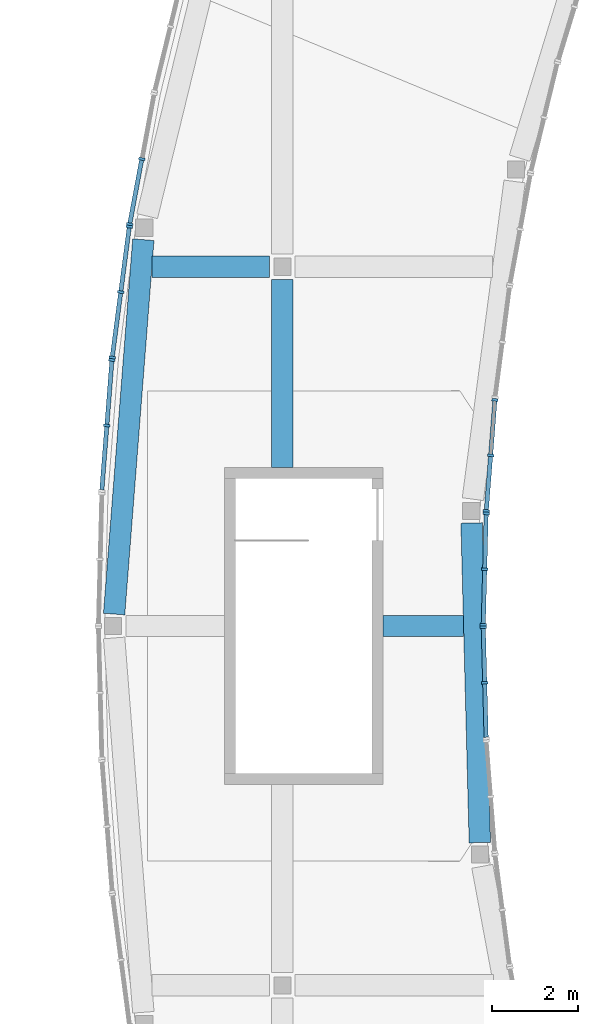
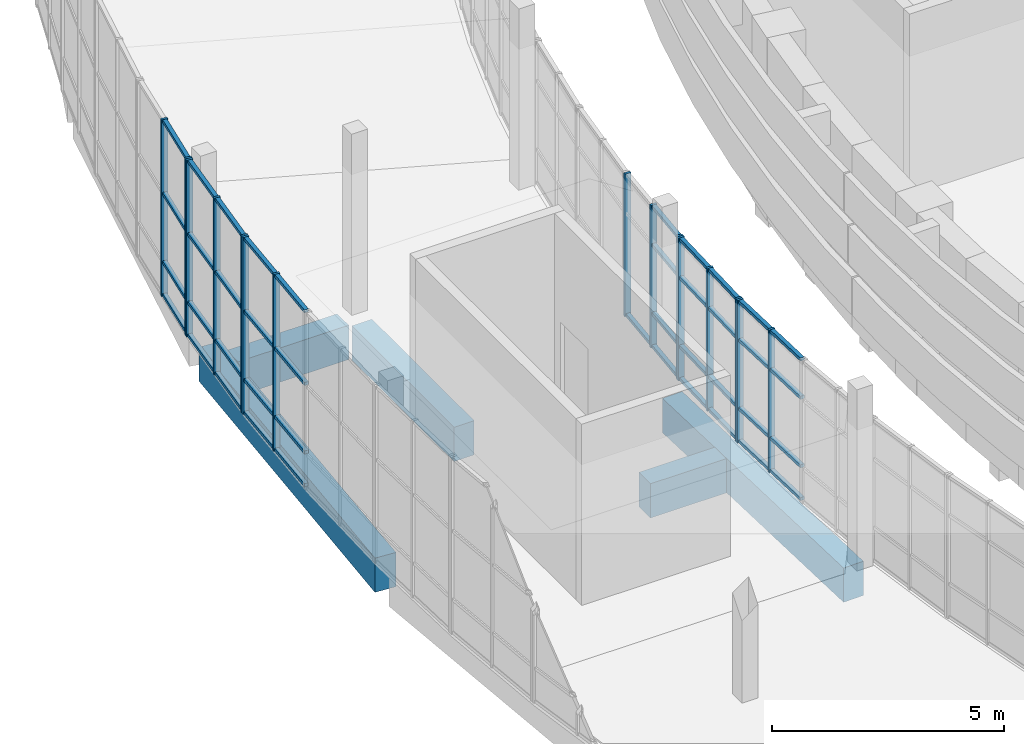
# One storey, part 13 of 103: 56 members, 5 beams, 6 elements without a shape of their own.
"""IFC4 building model written with IfcOpenShell, lengths in metres."""

from ifc_helpers import new_model, si_unit, direction, frame, origin, origin_2d, place, context, subcontext, project, spatial, rectangle, extrude, material, layer, layer_set, material_profile, profile_set, type_object, element, aggregate, save


model = new_model("IFC4")

# Units and contexts
model_context = context("Model", 3, precision=1e-05, world=origin(), true_north=direction((0.0, 1.0)))
body_context = subcontext(model_context, "Body", "Model", "MODEL_VIEW")
ifc_project = project(units=[si_unit("LENGTHUNIT", "METRE"), si_unit("AREAUNIT", "SQUARE_METRE"), si_unit("VOLUMEUNIT", "CUBIC_METRE"), si_unit("PLANEANGLEUNIT", "RADIAN"), si_unit("MASSUNIT", "GRAM", prefix="KILO")], contexts=[model_context])

# Site, building, storey
site_placement = place(None, origin())
site = spatial("IfcSite", under=ifc_project, at=site_placement, CompositionType="ELEMENT")
building_placement = place(site_placement, origin())
building = spatial("IfcBuilding", under=site, at=building_placement, Name="Larchfold Concert Hall", CompositionType="ELEMENT")
storey_placement = place(building_placement, frame((0.0, 0.0, 9.60009765625)))
storey = spatial("IfcBuildingStorey", under=building, at=storey_placement, Name="L02", CompositionType="ELEMENT", Elevation=9.60009765625)

# Curtain wall, members
ifc_material_1 = material(Name="Anodised graphite aluminium curtain wall", Category="aluminium")
ifc_layer = layer(ifc_material_1, 0.14990234375)
ifc_layer_set = layer_set([ifc_layer], Name="Anodised graphite aluminium curtain wall")
curtain_wall_type = type_object("IfcCurtainWallType", Name="Curtain wall WG", PredefinedType="NOTDEFINED", material=ifc_layer_set)
curtain_wall_1_placement = place(storey_placement, origin())
curtain_wall_1 = element("IfcCurtainWall", 1, at=curtain_wall_1_placement, inside=storey, type_object=curtain_wall_type, Name="Curtain wall CW0223", PredefinedType="NOTDEFINED")
ifc_material_2 = material(Name="Anodised graphite aluminium mullion", Category="aluminium")
ifc_material_profile_1 = material_profile(ifc_material_2, rectangle(XDim=0.14990234375, YDim=0.06005859375, at=origin_2d()))
ifc_profile_set_1 = profile_set([ifc_material_profile_1], Name="Anodised graphite aluminium mullion")
member_type_1 = type_object("IfcMemberType", Name="Aluminium mullion 60x150", PredefinedType="MULLION", material=ifc_profile_set_1)
member_1_placement = place(storey_placement, frame((13.733154296875, 83.269775390625, 0.0), z_axis=(0.0, 0.0, 1.0), x_axis=(-0.999667744222, -0.02577598033, 0.0)))
member_1 = element("IfcMember", 2, at=member_1_placement, type_object=member_type_1, Name="CW0223 mullion 2", PredefinedType="MULLION", context=body_context, shape_type="SweptSolid", body=[
    extrude(rectangle(XDim=0.14990234375, YDim=0.06005859375, at=origin_2d()), origin(), (0.0, 0.0, 1.0), 3.75),
])
member_2_placement = place(storey_placement, frame((13.699462890625, 84.570068359375, 0.0), z_axis=(0.0, 0.0, 1.0), x_axis=(-0.999667744222, -0.02577598033, 0.0)))
member_2 = element("IfcMember", 3, at=member_2_placement, type_object=member_type_1, Name="CW0223 mullion 3", PredefinedType="MULLION", context=body_context, shape_type="SweptSolid", body=[
    extrude(rectangle(XDim=0.14990234375, YDim=0.06005859375, at=origin_2d()), origin(), (0.0, 0.0, 1.0), 3.75),
])

curtain_wall_2_placement = place(storey_placement, origin())
curtain_wall_2 = element("IfcCurtainWall", 4, at=curtain_wall_2_placement, inside=storey, type_object=curtain_wall_type, Name="Curtain wall CW0224", PredefinedType="NOTDEFINED")
member_3_placement = place(storey_placement, frame((13.699462890625, 84.630126953125, 0.0), z_axis=(0.0, 0.0, 1.0), x_axis=(-0.999667744223, 0.025775980313, 0.0)))
member_3 = element("IfcMember", 5, at=member_3_placement, type_object=member_type_1, Name="CW0224 mullion 1", PredefinedType="MULLION", context=body_context, shape_type="SweptSolid", body=[
    extrude(rectangle(XDim=0.14990234375, YDim=0.06005859375, at=origin_2d()), origin(), (0.0, 0.0, 1.0), 3.75),
])
member_4_placement = place(storey_placement, frame((13.733154296875, 85.930419921875, 0.0), z_axis=(0.0, 0.0, 1.0), x_axis=(-0.999667744223, 0.025775980313, 0.0)))
member_4 = element("IfcMember", 6, at=member_4_placement, type_object=member_type_1, Name="CW0224 mullion 2", PredefinedType="MULLION", context=body_context, shape_type="SweptSolid", body=[
    extrude(rectangle(XDim=0.14990234375, YDim=0.06005859375, at=origin_2d()), origin(), (0.0, 0.0, 1.0), 3.75),
])
member_5_placement = place(storey_placement, frame((13.7666015625, 87.230712890625, 0.0), z_axis=(0.0, 0.0, 1.0), x_axis=(-0.999667744223, 0.025775980313, 0.0)))
member_5 = element("IfcMember", 7, at=member_5_placement, type_object=member_type_1, Name="CW0224 mullion 3", PredefinedType="MULLION", context=body_context, shape_type="SweptSolid", body=[
    extrude(rectangle(XDim=0.14990234375, YDim=0.06005859375, at=origin_2d()), origin(), (0.0, 0.0, 1.0), 3.75),
])

curtain_wall_3_placement = place(storey_placement, origin())
curtain_wall_3 = element("IfcCurtainWall", 8, at=curtain_wall_3_placement, inside=storey, type_object=curtain_wall_type, Name="Curtain wall CW0225", PredefinedType="NOTDEFINED")
member_6_placement = place(storey_placement, frame((13.769775390625, 87.290771484375, 0.0), z_axis=(0.0, 0.0, 1.0), x_axis=(-0.996988332974, 0.07755168544, 0.0)))
member_6 = element("IfcMember", 9, at=member_6_placement, type_object=member_type_1, Name="CW0225 mullion 1", PredefinedType="MULLION", context=body_context, shape_type="SweptSolid", body=[
    extrude(rectangle(XDim=0.14990234375, YDim=0.06005859375, at=origin_2d()), origin(), (0.0, 0.0, 1.0), 3.75),
])
member_7_placement = place(storey_placement, frame((13.87060546875, 88.58837890625, 0.0), z_axis=(0.0, 0.0, 1.0), x_axis=(-0.996988332974, 0.07755168544, 0.0)))
member_7 = element("IfcMember", 10, at=member_7_placement, type_object=member_type_1, Name="CW0225 mullion 2", PredefinedType="MULLION", context=body_context, shape_type="SweptSolid", body=[
    extrude(rectangle(XDim=0.14990234375, YDim=0.06005859375, at=origin_2d()), origin(), (0.0, 0.0, 1.0), 3.75),
])
member_8_placement = place(storey_placement, frame((13.971435546875, 89.885986328125, 0.0), z_axis=(0.0, 0.0, 1.0), x_axis=(-0.996988332974, 0.07755168544, 0.0)))
member_8 = element("IfcMember", 11, at=member_8_placement, type_object=member_type_1, Name="CW0225 mullion 3", PredefinedType="MULLION", context=body_context, shape_type="SweptSolid", body=[
    extrude(rectangle(XDim=0.14990234375, YDim=0.06005859375, at=origin_2d()), origin(), (0.0, 0.0, 1.0), 3.75),
])

curtain_wall_4_placement = place(storey_placement, origin())
curtain_wall_4 = element("IfcCurtainWall", 12, at=curtain_wall_4_placement, inside=storey, type_object=curtain_wall_type, Name="Curtain wall CW0270", PredefinedType="NOTDEFINED")
member_9_placement = place(storey_placement, frame((5.71484375, 95.51806640625, 0.0), z_axis=(0.0, 0.0, 1.0), x_axis=(0.983234300554, -0.182346675908, 0.0)))
member_9 = element("IfcMember", 13, at=member_9_placement, type_object=member_type_1, Name="CW0270 mullion 2", PredefinedType="MULLION", context=body_context, shape_type="SweptSolid", body=[
    extrude(rectangle(XDim=0.14990234375, YDim=0.06005859375, at=origin_2d()), origin(), (0.0, 0.0, 1.0), 4.64990234375),
])
member_10_placement = place(storey_placement, frame((5.43212890625, 93.994873046875, 0.0), z_axis=(0.0, 0.0, 1.0), x_axis=(0.983234300554, -0.182346675908, 0.0)))
member_10 = element("IfcMember", 14, at=member_10_placement, type_object=member_type_1, Name="CW0270 mullion 3", PredefinedType="MULLION", context=body_context, shape_type="SweptSolid", body=[
    extrude(rectangle(XDim=0.14990234375, YDim=0.06005859375, at=origin_2d()), origin(), (0.0, 0.0, 1.0), 4.64990234375),
])

curtain_wall_5_placement = place(storey_placement, origin())
curtain_wall_5 = element("IfcCurtainWall", 15, at=curtain_wall_5_placement, inside=storey, type_object=curtain_wall_type, Name="Curtain wall CW0271", PredefinedType="NOTDEFINED")
member_11_placement = place(storey_placement, frame((5.4228515625, 93.935546875, 0.0), z_axis=(0.0, 0.0, 1.0), x_axis=(0.991549218767, -0.129731055509, 0.0)))
member_11 = element("IfcMember", 16, at=member_11_placement, type_object=member_type_1, Name="CW0271 mullion 1", PredefinedType="MULLION", context=body_context, shape_type="SweptSolid", body=[
    extrude(rectangle(XDim=0.14990234375, YDim=0.06005859375, at=origin_2d()), origin(), (0.0, 0.0, 1.0), 4.64990234375),
])
member_12_placement = place(storey_placement, frame((5.222900390625, 92.4072265625, 0.0), z_axis=(0.0, 0.0, 1.0), x_axis=(0.991549218767, -0.129731055509, 0.0)))
member_12 = element("IfcMember", 17, at=member_12_placement, type_object=member_type_1, Name="CW0271 mullion 2", PredefinedType="MULLION", context=body_context, shape_type="SweptSolid", body=[
    extrude(rectangle(XDim=0.14990234375, YDim=0.06005859375, at=origin_2d()), origin(), (0.0, 0.0, 1.0), 4.64990234375),
])
member_13_placement = place(storey_placement, frame((5.02294921875, 90.87890625, 0.0), z_axis=(0.0, 0.0, 1.0), x_axis=(0.991549218767, -0.129731055509, 0.0)))
member_13 = element("IfcMember", 18, at=member_13_placement, type_object=member_type_1, Name="CW0271 mullion 3", PredefinedType="MULLION", context=body_context, shape_type="SweptSolid", body=[
    extrude(rectangle(XDim=0.14990234375, YDim=0.06005859375, at=origin_2d()), origin(), (0.0, 0.0, 1.0), 4.64990234375),
])

curtain_wall_6_placement = place(storey_placement, origin())
curtain_wall_6 = element("IfcCurtainWall", 19, at=curtain_wall_6_placement, inside=storey, type_object=curtain_wall_type, Name="Curtain wall CW0272", PredefinedType="NOTDEFINED")
member_14_placement = place(storey_placement, frame((5.0166015625, 90.819091796875, 0.0), z_axis=(0.0, 0.0, 1.0), x_axis=(0.996995051834, -0.077465260721, 0.0)))
member_14 = element("IfcMember", 20, at=member_14_placement, type_object=member_type_1, Name="CW0272 mullion 1", PredefinedType="MULLION", context=body_context, shape_type="SweptSolid", body=[
    extrude(rectangle(XDim=0.14990234375, YDim=0.06005859375, at=origin_2d()), origin(), (0.0, 0.0, 1.0), 4.64990234375),
])
member_15_placement = place(storey_placement, frame((4.897705078125, 89.28759765625, 0.0), z_axis=(0.0, 0.0, 1.0), x_axis=(0.996995051834, -0.077465260721, 0.0)))
member_15 = element("IfcMember", 21, at=member_15_placement, type_object=member_type_1, Name="CW0272 mullion 2", PredefinedType="MULLION", context=body_context, shape_type="SweptSolid", body=[
    extrude(rectangle(XDim=0.14990234375, YDim=0.06005859375, at=origin_2d()), origin(), (0.0, 0.0, 1.0), 4.64990234375),
])

# Member
ifc_material_3 = material(Name="Anodised graphite aluminium transom", Category="aluminium")
ifc_material_profile_2 = material_profile(ifc_material_3, rectangle(XDim=0.10009765625, YDim=0.080078125, at=origin_2d()))
ifc_profile_set_2 = profile_set([ifc_material_profile_2], Name="Anodised graphite aluminium transom")
member_type_2 = type_object("IfcMemberType", Name="Aluminium transom 80x100", PredefinedType="USERDEFINED", material=ifc_profile_set_2)
member_16_placement = place(storey_placement, frame((13.765869140625, 81.99951171875, 0.0400390625), z_axis=(-0.025778831666, 0.999667670698, 0.0), x_axis=(-0.999667670698, -0.025778831666, 0.0)))
member_16 = element("IfcMember", 22, at=member_16_placement, type_object=member_type_2, Name="CW0223 transom 1.1", ObjectType="TRANSOM", PredefinedType="USERDEFINED", context=body_context, shape_type="SweptSolid", body=[
    extrude(rectangle(XDim=0.10009765625, YDim=0.080078125, at=origin_2d()), origin(), (0.0, 0.0, 1.0), 1.24072265625),
])

member_17_placement = place(storey_placement, frame((13.765869140625, 81.99951171875, 0.89990234375), z_axis=(-0.025778831666, 0.999667670698, 0.0), x_axis=(-0.999667670698, -0.025778831666, 0.0)))
member_17 = element("IfcMember", 23, at=member_17_placement, type_object=member_type_2, Name="CW0223 transom 1.2", ObjectType="TRANSOM", PredefinedType="USERDEFINED", context=body_context, shape_type="SweptSolid", body=[
    extrude(rectangle(XDim=0.10009765625, YDim=0.080078125, at=origin_2d()), origin(), (0.0, 0.0, 1.0), 1.24072265625),
])

member_18_placement = place(storey_placement, frame((13.765869140625, 81.99951171875, 2.699951171875), z_axis=(-0.025778831666, 0.999667670698, 0.0), x_axis=(-0.999667670698, -0.025778831666, 0.0)))
member_18 = element("IfcMember", 24, at=member_18_placement, type_object=member_type_2, Name="CW0223 transom 1.3", ObjectType="TRANSOM", PredefinedType="USERDEFINED", context=body_context, shape_type="SweptSolid", body=[
    extrude(rectangle(XDim=0.10009765625, YDim=0.080078125, at=origin_2d()), origin(), (0.0, 0.0, 1.0), 1.24072265625),
])

member_19_placement = place(storey_placement, frame((13.765869140625, 81.99951171875, 3.7099609375), z_axis=(-0.025778831666, 0.999667670698, 0.0), x_axis=(-0.999667670698, -0.025778831666, 0.0)))
member_19 = element("IfcMember", 25, at=member_19_placement, type_object=member_type_2, Name="CW0223 transom 1.4", ObjectType="TRANSOM", PredefinedType="USERDEFINED", context=body_context, shape_type="SweptSolid", body=[
    extrude(rectangle(XDim=0.10009765625, YDim=0.080078125, at=origin_2d()), origin(), (0.0, 0.0, 1.0), 1.24072265625),
])

member_20_placement = place(storey_placement, frame((13.732177734375, 83.2998046875, 0.0400390625), z_axis=(-0.025778831666, 0.999667670698, 0.0), x_axis=(-0.999667670698, -0.025778831666, 0.0)))
member_20 = element("IfcMember", 26, at=member_20_placement, type_object=member_type_2, Name="CW0223 transom 2.1", ObjectType="TRANSOM", PredefinedType="USERDEFINED", context=body_context, shape_type="SweptSolid", body=[
    extrude(rectangle(XDim=0.10009765625, YDim=0.080078125, at=origin_2d()), origin(), (0.0, 0.0, 1.0), 1.24072265625),
])

member_21_placement = place(storey_placement, frame((13.732177734375, 83.2998046875, 0.89990234375), z_axis=(-0.025778831666, 0.999667670698, 0.0), x_axis=(-0.999667670698, -0.025778831666, 0.0)))
member_21 = element("IfcMember", 27, at=member_21_placement, type_object=member_type_2, Name="CW0223 transom 2.2", ObjectType="TRANSOM", PredefinedType="USERDEFINED", context=body_context, shape_type="SweptSolid", body=[
    extrude(rectangle(XDim=0.10009765625, YDim=0.080078125, at=origin_2d()), origin(), (0.0, 0.0, 1.0), 1.24072265625),
])

member_22_placement = place(storey_placement, frame((13.732177734375, 83.2998046875, 2.699951171875), z_axis=(-0.025778831666, 0.999667670698, 0.0), x_axis=(-0.999667670698, -0.025778831666, 0.0)))
member_22 = element("IfcMember", 28, at=member_22_placement, type_object=member_type_2, Name="CW0223 transom 2.3", ObjectType="TRANSOM", PredefinedType="USERDEFINED", context=body_context, shape_type="SweptSolid", body=[
    extrude(rectangle(XDim=0.10009765625, YDim=0.080078125, at=origin_2d()), origin(), (0.0, 0.0, 1.0), 1.24072265625),
])

member_23_placement = place(storey_placement, frame((13.732177734375, 83.2998046875, 3.7099609375), z_axis=(-0.025778831666, 0.999667670698, 0.0), x_axis=(-0.999667670698, -0.025778831666, 0.0)))
member_23 = element("IfcMember", 29, at=member_23_placement, type_object=member_type_2, Name="CW0223 transom 2.4", ObjectType="TRANSOM", PredefinedType="USERDEFINED", context=body_context, shape_type="SweptSolid", body=[
    extrude(rectangle(XDim=0.10009765625, YDim=0.080078125, at=origin_2d()), origin(), (0.0, 0.0, 1.0), 1.24072265625),
])

aggregate(curtain_wall_1, [member_1, member_2, member_16, member_17, member_18, member_19, member_20, member_21, member_22, member_23])

member_24_placement = place(storey_placement, frame((13.7001953125, 84.66015625, 0.0400390625), z_axis=(0.025778831666, 0.999667670698, 0.0), x_axis=(-0.999667670698, 0.025778831666, 0.0)))
member_24 = element("IfcMember", 30, at=member_24_placement, type_object=member_type_2, Name="CW0224 transom 1.1", ObjectType="TRANSOM", PredefinedType="USERDEFINED", context=body_context, shape_type="SweptSolid", body=[
    extrude(rectangle(XDim=0.10009765625, YDim=0.080078125, at=origin_2d()), origin(), (0.0, 0.0, 1.0), 1.24072265625),
])

member_25_placement = place(storey_placement, frame((13.7001953125, 84.66015625, 0.89990234375), z_axis=(0.025778831666, 0.999667670698, 0.0), x_axis=(-0.999667670698, 0.025778831666, 0.0)))
member_25 = element("IfcMember", 31, at=member_25_placement, type_object=member_type_2, Name="CW0224 transom 1.2", ObjectType="TRANSOM", PredefinedType="USERDEFINED", context=body_context, shape_type="SweptSolid", body=[
    extrude(rectangle(XDim=0.10009765625, YDim=0.080078125, at=origin_2d()), origin(), (0.0, 0.0, 1.0), 1.24072265625),
])

member_26_placement = place(storey_placement, frame((13.7001953125, 84.66015625, 2.699951171875), z_axis=(0.025778831666, 0.999667670698, 0.0), x_axis=(-0.999667670698, 0.025778831666, 0.0)))
member_26 = element("IfcMember", 32, at=member_26_placement, type_object=member_type_2, Name="CW0224 transom 1.3", ObjectType="TRANSOM", PredefinedType="USERDEFINED", context=body_context, shape_type="SweptSolid", body=[
    extrude(rectangle(XDim=0.10009765625, YDim=0.080078125, at=origin_2d()), origin(), (0.0, 0.0, 1.0), 1.24072265625),
])

member_27_placement = place(storey_placement, frame((13.7001953125, 84.66015625, 3.7099609375), z_axis=(0.025778831666, 0.999667670698, 0.0), x_axis=(-0.999667670698, 0.025778831666, 0.0)))
member_27 = element("IfcMember", 33, at=member_27_placement, type_object=member_type_2, Name="CW0224 transom 1.4", ObjectType="TRANSOM", PredefinedType="USERDEFINED", context=body_context, shape_type="SweptSolid", body=[
    extrude(rectangle(XDim=0.10009765625, YDim=0.080078125, at=origin_2d()), origin(), (0.0, 0.0, 1.0), 1.24072265625),
])

member_28_placement = place(storey_placement, frame((13.73388671875, 85.96044921875, 0.0400390625), z_axis=(0.025778831666, 0.999667670698, 0.0), x_axis=(-0.999667670698, 0.025778831666, 0.0)))
member_28 = element("IfcMember", 34, at=member_28_placement, type_object=member_type_2, Name="CW0224 transom 2.1", ObjectType="TRANSOM", PredefinedType="USERDEFINED", context=body_context, shape_type="SweptSolid", body=[
    extrude(rectangle(XDim=0.10009765625, YDim=0.080078125, at=origin_2d()), origin(), (0.0, 0.0, 1.0), 1.24072265625),
])

member_29_placement = place(storey_placement, frame((13.73388671875, 85.96044921875, 0.89990234375), z_axis=(0.025778831666, 0.999667670698, 0.0), x_axis=(-0.999667670698, 0.025778831666, 0.0)))
member_29 = element("IfcMember", 35, at=member_29_placement, type_object=member_type_2, Name="CW0224 transom 2.2", ObjectType="TRANSOM", PredefinedType="USERDEFINED", context=body_context, shape_type="SweptSolid", body=[
    extrude(rectangle(XDim=0.10009765625, YDim=0.080078125, at=origin_2d()), origin(), (0.0, 0.0, 1.0), 1.24072265625),
])

member_30_placement = place(storey_placement, frame((13.73388671875, 85.96044921875, 2.699951171875), z_axis=(0.025778831666, 0.999667670698, 0.0), x_axis=(-0.999667670698, 0.025778831666, 0.0)))
member_30 = element("IfcMember", 36, at=member_30_placement, type_object=member_type_2, Name="CW0224 transom 2.3", ObjectType="TRANSOM", PredefinedType="USERDEFINED", context=body_context, shape_type="SweptSolid", body=[
    extrude(rectangle(XDim=0.10009765625, YDim=0.080078125, at=origin_2d()), origin(), (0.0, 0.0, 1.0), 1.24072265625),
])

member_31_placement = place(storey_placement, frame((13.73388671875, 85.96044921875, 3.7099609375), z_axis=(0.025778831666, 0.999667670698, 0.0), x_axis=(-0.999667670698, 0.025778831666, 0.0)))
member_31 = element("IfcMember", 37, at=member_31_placement, type_object=member_type_2, Name="CW0224 transom 2.4", ObjectType="TRANSOM", PredefinedType="USERDEFINED", context=body_context, shape_type="SweptSolid", body=[
    extrude(rectangle(XDim=0.10009765625, YDim=0.080078125, at=origin_2d()), origin(), (0.0, 0.0, 1.0), 1.24072265625),
])

aggregate(curtain_wall_2, [member_3, member_4, member_5, member_24, member_25, member_26, member_27, member_28, member_29, member_30, member_31])

member_32_placement = place(storey_placement, frame((13.77197265625, 87.320556640625, 0.0400390625), z_axis=(0.077478431398, 0.996994028401, 0.0), x_axis=(-0.996994028401, 0.077478431398, 0.0)))
member_32 = element("IfcMember", 38, at=member_32_placement, type_object=member_type_2, Name="CW0225 transom 1.1", ObjectType="TRANSOM", PredefinedType="USERDEFINED", context=body_context, shape_type="SweptSolid", body=[
    extrude(rectangle(XDim=0.10009765625, YDim=0.080078125, at=origin_2d()), origin(), (0.0, 0.0, 1.0), 1.241455078125),
])

member_33_placement = place(storey_placement, frame((13.77197265625, 87.320556640625, 0.89990234375), z_axis=(0.077478431398, 0.996994028401, 0.0), x_axis=(-0.996994028401, 0.077478431398, 0.0)))
member_33 = element("IfcMember", 39, at=member_33_placement, type_object=member_type_2, Name="CW0225 transom 1.2", ObjectType="TRANSOM", PredefinedType="USERDEFINED", context=body_context, shape_type="SweptSolid", body=[
    extrude(rectangle(XDim=0.10009765625, YDim=0.080078125, at=origin_2d()), origin(), (0.0, 0.0, 1.0), 1.241455078125),
])

member_34_placement = place(storey_placement, frame((13.77197265625, 87.320556640625, 2.699951171875), z_axis=(0.077478431398, 0.996994028401, 0.0), x_axis=(-0.996994028401, 0.077478431398, 0.0)))
member_34 = element("IfcMember", 40, at=member_34_placement, type_object=member_type_2, Name="CW0225 transom 1.3", ObjectType="TRANSOM", PredefinedType="USERDEFINED", context=body_context, shape_type="SweptSolid", body=[
    extrude(rectangle(XDim=0.10009765625, YDim=0.080078125, at=origin_2d()), origin(), (0.0, 0.0, 1.0), 1.241455078125),
])

member_35_placement = place(storey_placement, frame((13.77197265625, 87.320556640625, 3.7099609375), z_axis=(0.077478431398, 0.996994028401, 0.0), x_axis=(-0.996994028401, 0.077478431398, 0.0)))
member_35 = element("IfcMember", 41, at=member_35_placement, type_object=member_type_2, Name="CW0225 transom 1.4", ObjectType="TRANSOM", PredefinedType="USERDEFINED", context=body_context, shape_type="SweptSolid", body=[
    extrude(rectangle(XDim=0.10009765625, YDim=0.080078125, at=origin_2d()), origin(), (0.0, 0.0, 1.0), 1.241455078125),
])

member_36_placement = place(storey_placement, frame((13.873046875, 88.618408203125, 0.0400390625), z_axis=(0.077478431398, 0.996994028401, 0.0), x_axis=(-0.996994028401, 0.077478431398, 0.0)))
member_36 = element("IfcMember", 42, at=member_36_placement, type_object=member_type_2, Name="CW0225 transom 2.1", ObjectType="TRANSOM", PredefinedType="USERDEFINED", context=body_context, shape_type="SweptSolid", body=[
    extrude(rectangle(XDim=0.10009765625, YDim=0.080078125, at=origin_2d()), origin(), (0.0, 0.0, 1.0), 1.241455078125),
])

aggregate(curtain_wall_3, [member_6, member_7, member_8, member_32, member_33, member_34, member_35, member_36])

member_37_placement = place(storey_placement, frame((5.709228515625, 95.488525390625, 0.0400390625), z_axis=(-0.182318227219, -0.983239576107, 0.0), x_axis=(0.983239576107, -0.182318227219, 0.0)))
member_37 = element("IfcMember", 43, at=member_37_placement, type_object=member_type_2, Name="CW0270 transom 2.1", ObjectType="TRANSOM", PredefinedType="USERDEFINED", context=body_context, shape_type="SweptSolid", body=[
    extrude(rectangle(XDim=0.10009765625, YDim=0.080078125, at=origin_2d()), origin(), (0.0, 0.0, 1.0), 1.489013671875),
])

member_38_placement = place(storey_placement, frame((5.709228515625, 95.488525390625, 0.89990234375), z_axis=(-0.182318227219, -0.983239576107, 0.0), x_axis=(0.983239576107, -0.182318227219, 0.0)))
member_38 = element("IfcMember", 44, at=member_38_placement, type_object=member_type_2, Name="CW0270 transom 2.2", ObjectType="TRANSOM", PredefinedType="USERDEFINED", context=body_context, shape_type="SweptSolid", body=[
    extrude(rectangle(XDim=0.10009765625, YDim=0.080078125, at=origin_2d()), origin(), (0.0, 0.0, 1.0), 1.489013671875),
])

member_39_placement = place(storey_placement, frame((5.709228515625, 95.488525390625, 2.699951171875), z_axis=(-0.182318227219, -0.983239576107, 0.0), x_axis=(0.983239576107, -0.182318227219, 0.0)))
member_39 = element("IfcMember", 45, at=member_39_placement, type_object=member_type_2, Name="CW0270 transom 2.3", ObjectType="TRANSOM", PredefinedType="USERDEFINED", context=body_context, shape_type="SweptSolid", body=[
    extrude(rectangle(XDim=0.10009765625, YDim=0.080078125, at=origin_2d()), origin(), (0.0, 0.0, 1.0), 1.489013671875),
])

member_40_placement = place(storey_placement, frame((5.709228515625, 95.488525390625, 4.60986328125), z_axis=(-0.182318227219, -0.983239576107, 0.0), x_axis=(0.983239576107, -0.182318227219, 0.0)))
member_40 = element("IfcMember", 46, at=member_40_placement, type_object=member_type_2, Name="CW0270 transom 2.4", ObjectType="TRANSOM", PredefinedType="USERDEFINED", context=body_context, shape_type="SweptSolid", body=[
    extrude(rectangle(XDim=0.10009765625, YDim=0.080078125, at=origin_2d()), origin(), (0.0, 0.0, 1.0), 1.489013671875),
])

aggregate(curtain_wall_4, [member_9, member_10, member_37, member_38, member_39, member_40])

member_41_placement = place(storey_placement, frame((5.4189453125, 93.90576171875, 0.0400390625), z_axis=(-0.129712621861, -0.99155163039, 0.0), x_axis=(0.99155163039, -0.129712621861, 0.0)))
member_41 = element("IfcMember", 47, at=member_41_placement, type_object=member_type_2, Name="CW0271 transom 1.1", ObjectType="TRANSOM", PredefinedType="USERDEFINED", context=body_context, shape_type="SweptSolid", body=[
    extrude(rectangle(XDim=0.10009765625, YDim=0.080078125, at=origin_2d()), origin(), (0.0, 0.0, 1.0), 1.481201171875),
])

member_42_placement = place(storey_placement, frame((5.4189453125, 93.90576171875, 0.89990234375), z_axis=(-0.129712621861, -0.99155163039, 0.0), x_axis=(0.99155163039, -0.129712621861, 0.0)))
member_42 = element("IfcMember", 48, at=member_42_placement, type_object=member_type_2, Name="CW0271 transom 1.2", ObjectType="TRANSOM", PredefinedType="USERDEFINED", context=body_context, shape_type="SweptSolid", body=[
    extrude(rectangle(XDim=0.10009765625, YDim=0.080078125, at=origin_2d()), origin(), (0.0, 0.0, 1.0), 1.481201171875),
])

member_43_placement = place(storey_placement, frame((5.4189453125, 93.90576171875, 2.699951171875), z_axis=(-0.129712621861, -0.99155163039, 0.0), x_axis=(0.99155163039, -0.129712621861, 0.0)))
member_43 = element("IfcMember", 49, at=member_43_placement, type_object=member_type_2, Name="CW0271 transom 1.3", ObjectType="TRANSOM", PredefinedType="USERDEFINED", context=body_context, shape_type="SweptSolid", body=[
    extrude(rectangle(XDim=0.10009765625, YDim=0.080078125, at=origin_2d()), origin(), (0.0, 0.0, 1.0), 1.481201171875),
])

member_44_placement = place(storey_placement, frame((5.4189453125, 93.90576171875, 4.60986328125), z_axis=(-0.129712621861, -0.99155163039, 0.0), x_axis=(0.99155163039, -0.129712621861, 0.0)))
member_44 = element("IfcMember", 50, at=member_44_placement, type_object=member_type_2, Name="CW0271 transom 1.4", ObjectType="TRANSOM", PredefinedType="USERDEFINED", context=body_context, shape_type="SweptSolid", body=[
    extrude(rectangle(XDim=0.10009765625, YDim=0.080078125, at=origin_2d()), origin(), (0.0, 0.0, 1.0), 1.481201171875),
])

member_45_placement = place(storey_placement, frame((5.218994140625, 92.37744140625, 0.0400390625), z_axis=(-0.129712621861, -0.99155163039, 0.0), x_axis=(0.99155163039, -0.129712621861, 0.0)))
member_45 = element("IfcMember", 51, at=member_45_placement, type_object=member_type_2, Name="CW0271 transom 2.1", ObjectType="TRANSOM", PredefinedType="USERDEFINED", context=body_context, shape_type="SweptSolid", body=[
    extrude(rectangle(XDim=0.10009765625, YDim=0.080078125, at=origin_2d()), origin(), (0.0, 0.0, 1.0), 1.481201171875),
])

member_46_placement = place(storey_placement, frame((5.218994140625, 92.37744140625, 0.89990234375), z_axis=(-0.129712621861, -0.99155163039, 0.0), x_axis=(0.99155163039, -0.129712621861, 0.0)))
member_46 = element("IfcMember", 52, at=member_46_placement, type_object=member_type_2, Name="CW0271 transom 2.2", ObjectType="TRANSOM", PredefinedType="USERDEFINED", context=body_context, shape_type="SweptSolid", body=[
    extrude(rectangle(XDim=0.10009765625, YDim=0.080078125, at=origin_2d()), origin(), (0.0, 0.0, 1.0), 1.481201171875),
])

member_47_placement = place(storey_placement, frame((5.218994140625, 92.37744140625, 2.699951171875), z_axis=(-0.129712621861, -0.99155163039, 0.0), x_axis=(0.99155163039, -0.129712621861, 0.0)))
member_47 = element("IfcMember", 53, at=member_47_placement, type_object=member_type_2, Name="CW0271 transom 2.3", ObjectType="TRANSOM", PredefinedType="USERDEFINED", context=body_context, shape_type="SweptSolid", body=[
    extrude(rectangle(XDim=0.10009765625, YDim=0.080078125, at=origin_2d()), origin(), (0.0, 0.0, 1.0), 1.481201171875),
])

member_48_placement = place(storey_placement, frame((5.218994140625, 92.37744140625, 4.60986328125), z_axis=(-0.129712621861, -0.99155163039, 0.0), x_axis=(0.99155163039, -0.129712621861, 0.0)))
member_48 = element("IfcMember", 54, at=member_48_placement, type_object=member_type_2, Name="CW0271 transom 2.4", ObjectType="TRANSOM", PredefinedType="USERDEFINED", context=body_context, shape_type="SweptSolid", body=[
    extrude(rectangle(XDim=0.10009765625, YDim=0.080078125, at=origin_2d()), origin(), (0.0, 0.0, 1.0), 1.481201171875),
])

aggregate(curtain_wall_5, [member_11, member_12, member_13, member_41, member_42, member_43, member_44, member_45, member_46, member_47, member_48])

member_49_placement = place(storey_placement, frame((5.014404296875, 90.789306640625, 0.0400390625), z_axis=(-0.077391996533, -0.997000741661, 0.0), x_axis=(0.997000741661, -0.077391996533, 0.0)))
member_49 = element("IfcMember", 55, at=member_49_placement, type_object=member_type_2, Name="CW0272 transom 1.1", ObjectType="TRANSOM", PredefinedType="USERDEFINED", context=body_context, shape_type="SweptSolid", body=[
    extrude(rectangle(XDim=0.10009765625, YDim=0.080078125, at=origin_2d()), origin(), (0.0, 0.0, 1.0), 1.476318359375),
])

member_50_placement = place(storey_placement, frame((5.014404296875, 90.789306640625, 0.89990234375), z_axis=(-0.077391996533, -0.997000741661, 0.0), x_axis=(0.997000741661, -0.077391996533, 0.0)))
member_50 = element("IfcMember", 56, at=member_50_placement, type_object=member_type_2, Name="CW0272 transom 1.2", ObjectType="TRANSOM", PredefinedType="USERDEFINED", context=body_context, shape_type="SweptSolid", body=[
    extrude(rectangle(XDim=0.10009765625, YDim=0.080078125, at=origin_2d()), origin(), (0.0, 0.0, 1.0), 1.476318359375),
])

member_51_placement = place(storey_placement, frame((5.014404296875, 90.789306640625, 2.699951171875), z_axis=(-0.077391996533, -0.997000741661, 0.0), x_axis=(0.997000741661, -0.077391996533, 0.0)))
member_51 = element("IfcMember", 57, at=member_51_placement, type_object=member_type_2, Name="CW0272 transom 1.3", ObjectType="TRANSOM", PredefinedType="USERDEFINED", context=body_context, shape_type="SweptSolid", body=[
    extrude(rectangle(XDim=0.10009765625, YDim=0.080078125, at=origin_2d()), origin(), (0.0, 0.0, 1.0), 1.476318359375),
])

member_52_placement = place(storey_placement, frame((5.014404296875, 90.789306640625, 4.60986328125), z_axis=(-0.077391996533, -0.997000741661, 0.0), x_axis=(0.997000741661, -0.077391996533, 0.0)))
member_52 = element("IfcMember", 58, at=member_52_placement, type_object=member_type_2, Name="CW0272 transom 1.4", ObjectType="TRANSOM", PredefinedType="USERDEFINED", context=body_context, shape_type="SweptSolid", body=[
    extrude(rectangle(XDim=0.10009765625, YDim=0.080078125, at=origin_2d()), origin(), (0.0, 0.0, 1.0), 1.476318359375),
])

member_53_placement = place(storey_placement, frame((4.895263671875, 89.257568359375, 0.0400390625), z_axis=(-0.077391996533, -0.997000741661, 0.0), x_axis=(0.997000741661, -0.077391996533, 0.0)))
member_53 = element("IfcMember", 59, at=member_53_placement, type_object=member_type_2, Name="CW0272 transom 2.1", ObjectType="TRANSOM", PredefinedType="USERDEFINED", context=body_context, shape_type="SweptSolid", body=[
    extrude(rectangle(XDim=0.10009765625, YDim=0.080078125, at=origin_2d()), origin(), (0.0, 0.0, 1.0), 1.476318359375),
])

member_54_placement = place(storey_placement, frame((4.895263671875, 89.257568359375, 0.89990234375), z_axis=(-0.077391996533, -0.997000741661, 0.0), x_axis=(0.997000741661, -0.077391996533, 0.0)))
member_54 = element("IfcMember", 60, at=member_54_placement, type_object=member_type_2, Name="CW0272 transom 2.2", ObjectType="TRANSOM", PredefinedType="USERDEFINED", context=body_context, shape_type="SweptSolid", body=[
    extrude(rectangle(XDim=0.10009765625, YDim=0.080078125, at=origin_2d()), origin(), (0.0, 0.0, 1.0), 1.476318359375),
])

member_55_placement = place(storey_placement, frame((4.895263671875, 89.257568359375, 2.699951171875), z_axis=(-0.077391996533, -0.997000741661, 0.0), x_axis=(0.997000741661, -0.077391996533, 0.0)))
member_55 = element("IfcMember", 61, at=member_55_placement, type_object=member_type_2, Name="CW0272 transom 2.3", ObjectType="TRANSOM", PredefinedType="USERDEFINED", context=body_context, shape_type="SweptSolid", body=[
    extrude(rectangle(XDim=0.10009765625, YDim=0.080078125, at=origin_2d()), origin(), (0.0, 0.0, 1.0), 1.476318359375),
])

member_56_placement = place(storey_placement, frame((4.895263671875, 89.257568359375, 4.60986328125), z_axis=(-0.077391996533, -0.997000741661, 0.0), x_axis=(0.997000741661, -0.077391996533, 0.0)))
member_56 = element("IfcMember", 62, at=member_56_placement, type_object=member_type_2, Name="CW0272 transom 2.4", ObjectType="TRANSOM", PredefinedType="USERDEFINED", context=body_context, shape_type="SweptSolid", body=[
    extrude(rectangle(XDim=0.10009765625, YDim=0.080078125, at=origin_2d()), origin(), (0.0, 0.0, 1.0), 1.476318359375),
])

aggregate(curtain_wall_6, [member_14, member_15, member_49, member_50, member_51, member_52, member_53, member_54, member_55, member_56])

# Beams
ifc_material_4 = material(Name="Concrete C35/45", Category="concrete")
ifc_material_profile_3 = material_profile(ifc_material_4, rectangle(XDim=0.5, YDim=0.89990234375, at=origin_2d()))
ifc_profile_set_3 = profile_set([ifc_material_profile_3], Name="Concrete C35/45")
beam_type = type_object("IfcBeamType", Name="Beam RC 500x900", PredefinedType="BEAM", material=ifc_profile_set_3)
beam_1_placement = place(storey_placement, frame((5.06787109375, 84.879150390625, -0.60009765625), z_axis=(0.07783627425, 0.996966155098, 0.0), x_axis=(-0.996966155098, 0.07783627425, 0.0)))
element("IfcBeam", 63, at=beam_1_placement, inside=storey, type_object=beam_type, Name="Beam B1942", PredefinedType="BEAM", context=body_context, shape_type="SweptSolid", body=[
    extrude(rectangle(XDim=0.5, YDim=0.89990234375, at=origin_2d()), origin(), (0.0, 0.0, 1.0), 8.779296875),
])
beam_2_placement = place(storey_placement, frame((13.42529296875, 87.008056640625, -0.60009765625), z_axis=(0.025741418346, -0.999668634789, 0.0), x_axis=(0.999668634789, 0.025741418346, 0.0)))
element("IfcBeam", 64, at=beam_2_placement, inside=storey, type_object=beam_type, Name="Beam B1958", PredefinedType="BEAM", context=body_context, shape_type="SweptSolid", body=[
    extrude(rectangle(XDim=0.5, YDim=0.89990234375, at=origin_2d()), origin(), (0.0, 0.0, 1.0), 7.4736328125),
])
beam_3_placement = place(storey_placement, frame((9.0, 88.300048828125, -0.60009765625), z_axis=(0.0, 1.0, 0.0), x_axis=(-1.0, 0.0, 0.0)))
element("IfcBeam", 65, at=beam_3_placement, inside=storey, type_object=beam_type, Name="Beam B1964", PredefinedType="BEAM", context=body_context, shape_type="SweptSolid", body=[
    extrude(rectangle(XDim=0.5, YDim=0.89990234375, at=origin_2d()), origin(), (0.0, 0.0, 1.0), 4.401123046875),
])
beam_4_placement = place(storey_placement, frame((11.35009765625, 84.60009765625, -0.60009765625), z_axis=(1.0, 0.0, 0.0), x_axis=(0.0, 1.0, 0.0)))
element("IfcBeam", 66, at=beam_4_placement, inside=storey, type_object=beam_type, Name="Beam B1992", PredefinedType="BEAM", context=body_context, shape_type="SweptSolid", body=[
    extrude(rectangle(XDim=0.5, YDim=0.89990234375, at=origin_2d()), origin(), (0.0, 0.0, 1.0), 1.88720703125),
])
beam_5_placement = place(storey_placement, frame((5.95263671875, 93.0, -0.60009765625), z_axis=(1.0, 0.0, 0.0), x_axis=(0.0, 1.0, 0.0)))
element("IfcBeam", 67, at=beam_5_placement, inside=storey, type_object=beam_type, Name="Beam B1993", PredefinedType="BEAM", context=body_context, shape_type="SweptSolid", body=[
    extrude(rectangle(XDim=0.5, YDim=0.89990234375, at=origin_2d()), origin(), (0.0, 0.0, 1.0), 2.74853515625),
])

save(model, "model.ifc")
